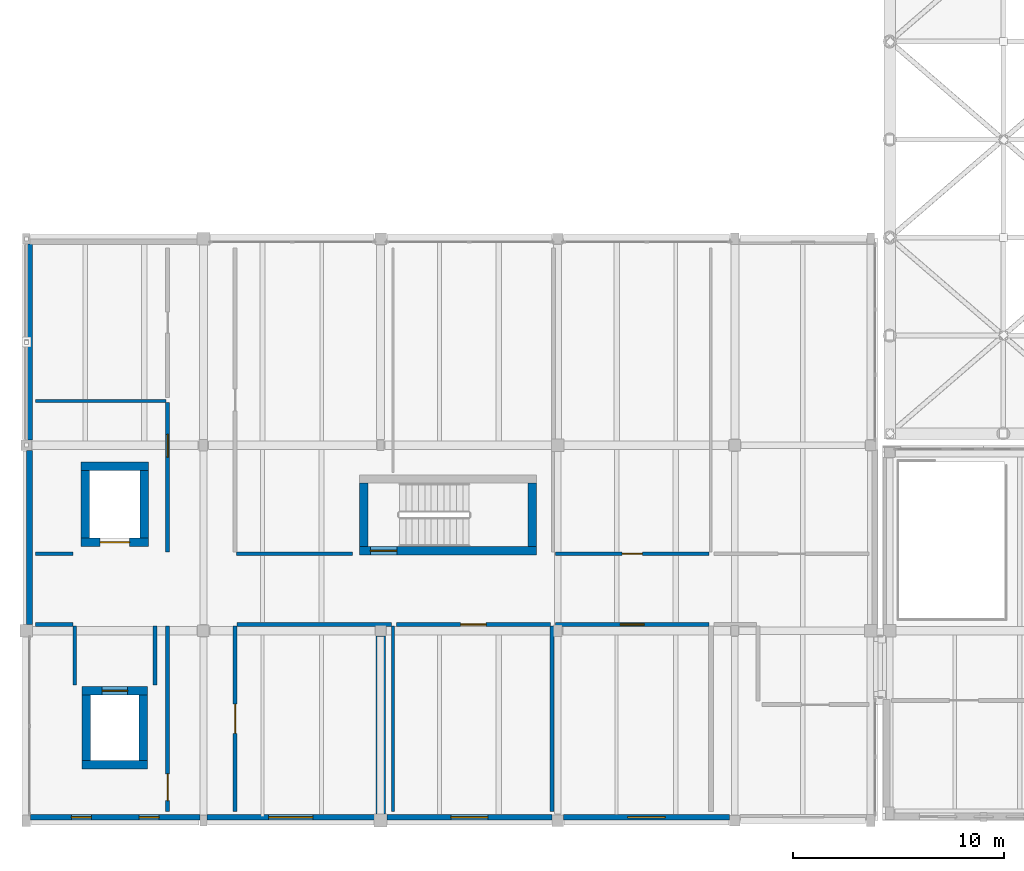
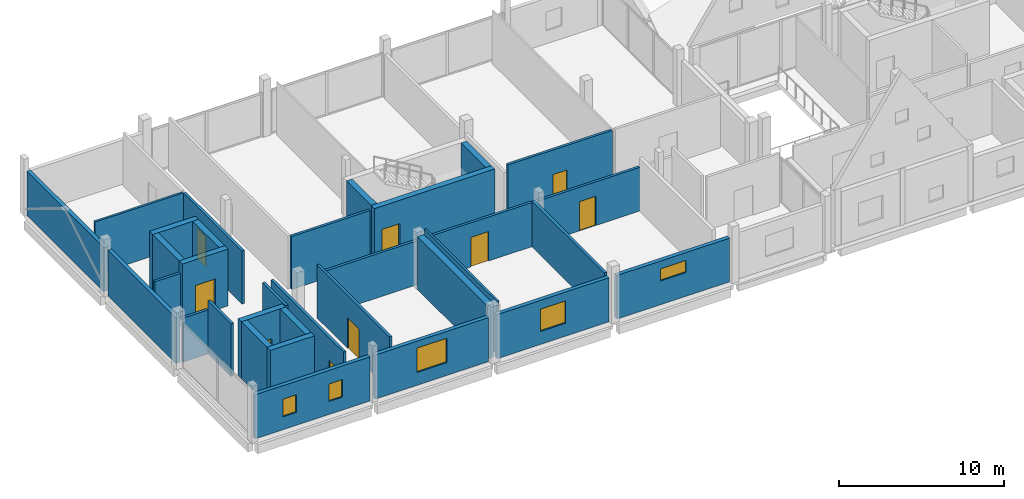
# One storey, part 23 of 41: 33 walls, 9 doors, 5 windows, 14 openings.
"""IFC4 building model written with IfcOpenShell, lengths in metres."""

from ifc_helpers import new_model, si_unit, direction, frame, frame_2d, origin, place, context, subcontext, project, spatial, rectangle, extrude, material, layer, layer_set, type_object, element, fill, save


model = new_model("IFC4")

# Units and contexts
model_context = context("Model", 3, precision=1e-05, world=origin(), true_north=direction((0.0, 1.0)))
body_context = subcontext(model_context, "Body", "Model", "MODEL_VIEW")
ifc_project = project(units=[si_unit("LENGTHUNIT", "METRE"), si_unit("AREAUNIT", "SQUARE_METRE"), si_unit("VOLUMEUNIT", "CUBIC_METRE"), si_unit("PLANEANGLEUNIT", "RADIAN"), si_unit("MASSUNIT", "GRAM", prefix="KILO")], contexts=[model_context])

# Site, building, storey
site_placement = place(None, origin())
site = spatial("IfcSite", under=ifc_project, at=site_placement, CompositionType="ELEMENT")
building_placement = place(site_placement, origin())
building = spatial("IfcBuilding", under=site, at=building_placement, Name="Birchvale Park Specialist Clinic", CompositionType="ELEMENT")
storey_placement = place(building_placement, frame((0.0, 0.0, 9.60009765625)))
storey = spatial("IfcBuildingStorey", under=building, at=storey_placement, Name="L02", CompositionType="ELEMENT", Elevation=9.60009765625)

# Wall, opening, door
ifc_material_1 = material(Name="Concrete C40/50", Category="concrete")
ifc_layer_1 = layer(ifc_material_1, 0.39990234375)
ifc_layer_set_1 = layer_set([ifc_layer_1], Name="Concrete C40/50")
wall_type_1 = type_object("IfcWallType", Name="WL-CW-120", PredefinedType="SHEAR", material=ifc_layer_set_1)
wall_1_placement = place(storey_placement, frame((27.0, 29.60009765625, 0.0), z_axis=(0.0, 0.0, 1.0), x_axis=(1.0, 0.0, 0.0)))
wall_1 = element("IfcWall", 1, at=wall_1_placement, inside=storey, type_object=wall_type_1, Name="L02 stair ST2 EI 120 enclosure wall (south)", PredefinedType="SHEAR", context=body_context, shape_type="SweptSolid", body=[
    extrude(rectangle(XDim=8.39990234375, YDim=0.39990234375, at=frame_2d((4.199951171875, 0.0))), origin(), (0.0, 0.0, 1.0), 3.919921875),
])
opening_1_placement = place(wall_1_placement, frame((0.52001953125, 0.0, 0.0)))
opening_1 = element("IfcOpeningElement", 2, at=opening_1_placement, cuts=wall_1, Name="Opening ID-FD60", PredefinedType="OPENING", context=body_context, shape_type="SweptSolid", body=[
    extrude(rectangle(XDim=1.25, YDim=2.199951171875, at=frame_2d((0.625, 1.10009765625))), frame((0.0, 0.2099609375, 0.0), z_axis=(0.0, -1.0, 0.0), x_axis=(1.0, 0.0, 0.0)), (0.0, 0.0, 1.0), 0.419921875),
])
ifc_material_2 = material(Name="Solid-core birch veneer and anodised aluminium", Category="aluminium")
door_type_1 = type_object("IfcDoorType", Name="DR-ID-FD60", OperationType="NOTDEFINED", PredefinedType="DOOR", material=ifc_material_2)
door_1_placement = place(opening_1_placement, origin())
door_1 = element("IfcDoor", 3, at=door_1_placement, inside=storey, type_object=door_type_1, Name="L02 stair ST2 fire door", OperationType="SINGLE_SWING_RIGHT", OverallHeight=2.199951171875, OverallWidth=1.25, PredefinedType="DOOR", context=body_context, shape_type="SweptSolid", body=[
    extrude(rectangle(XDim=1.25, YDim=2.199951171875, at=frame_2d((0.625, 1.10009765625))), frame((0.0, 0.02490234375, 0.0), z_axis=(0.0, -1.0, 0.0), x_axis=(1.0, 0.0, 0.0)), (0.0, 0.0, 1.0), 0.050048828125),
])
fill(opening_1, door_1)

# Walls
for number, where, z_axis, x_axis, name in (
    (4, (27.199951171875, 29.800048828125, 0.0), (0.0, 0.0, 1.0), (0.0, 1.0, 0.0), "L02 stair ST2 EI 120 enclosure wall (west)"),
    (5, (35.199951171875, 32.800048828125, 0.0), (0.0, 0.0, 1.0), (0.0, -1.0, 0.0), "L02 stair ST2 EI 120 enclosure wall (east)"),
):
    element("IfcWall", number, at=place(storey_placement, frame(where, z_axis=z_axis, x_axis=x_axis)), inside=storey, type_object=wall_type_1, Name=name, PredefinedType="SHEAR", context=body_context, shape_type="SweptSolid", body=[
        extrude(rectangle(XDim=3.0, YDim=0.39990234375, at=frame_2d((1.5, 0.0))), origin(), (0.0, 0.0, 1.0), 3.919921875),
    ])
wall_2_placement = place(storey_placement, frame((13.85009765625, 19.449951171875, 0.0), z_axis=(0.0, 0.0, 1.0), x_axis=(1.0, 0.0, 0.0)))
element("IfcWall", 6, at=wall_2_placement, inside=storey, type_object=wall_type_1, Name="L02 lift LP3 shaft wall (south)", PredefinedType="SHEAR", context=body_context, shape_type="SweptSolid", body=[
    extrude(rectangle(XDim=3.099853515625, YDim=0.39990234375, at=frame_2d((1.5498046875, 0.0))), origin(), (0.0, 0.0, 1.0), 4.199951171875),
])

# Wall, opening, door
wall_3_placement = place(storey_placement, frame((16.949951171875, 22.949951171875, 0.0), z_axis=(0.0, 0.0, 1.0), x_axis=(-1.0, 0.0, 0.0)))
wall_3 = element("IfcWall", 7, at=wall_3_placement, inside=storey, type_object=wall_type_1, Name="L02 lift LP3 shaft wall (north)", PredefinedType="SHEAR", context=body_context, shape_type="SweptSolid", body=[
    extrude(rectangle(XDim=3.099853515625, YDim=0.39990234375, at=frame_2d((1.5498046875, 0.0))), origin(), (0.0, 0.0, 1.0), 4.199951171875),
])
opening_2_placement = place(wall_3_placement, frame((0.949951171875, 0.0, 0.0)))
opening_2 = element("IfcOpeningElement", 8, at=opening_2_placement, cuts=wall_3, Name="Opening LD-01", PredefinedType="OPENING", context=body_context, shape_type="SweptSolid", body=[
    extrude(rectangle(XDim=1.199951171875, YDim=2.199951171875, at=frame_2d((0.60009765625, 1.10009765625))), frame((0.0, 0.2099609375, 0.0), z_axis=(0.0, -1.0, 0.0), x_axis=(1.0, 0.0, 0.0)), (0.0, 0.0, 1.0), 0.419921875),
])
door_type_2 = type_object("IfcDoorType", Name="DR-LD-01", OperationType="DOUBLE_DOOR_SLIDING", PredefinedType="DOOR", material=ifc_material_2)
door_2_placement = place(opening_2_placement, origin())
door_2 = element("IfcDoor", 9, at=door_2_placement, inside=storey, type_object=door_type_2, Name="L02 lift LP3 sliding landing door", OperationType="DOUBLE_DOOR_SLIDING", OverallHeight=2.199951171875, OverallWidth=1.199951171875, PredefinedType="DOOR", context=body_context, shape_type="SweptSolid", body=[
    extrude(rectangle(XDim=1.199951171875, YDim=2.199951171875, at=frame_2d((0.60009765625, 1.10009765625))), frame((0.0, 0.02490234375, 0.0), z_axis=(0.0, -1.0, 0.0), x_axis=(1.0, 0.0, 0.0)), (0.0, 0.0, 1.0), 0.050048828125),
])
fill(opening_2, door_2)

# Walls
for number, where, z_axis, x_axis, name in (
    (10, (14.050048828125, 19.64990234375, 0.0), (0.0, 0.0, 1.0), (0.0, 1.0, 0.0), "L02 lift LP3 shaft wall (west)"),
    (11, (16.75, 22.75, 0.0), (0.0, 0.0, 1.0), (0.0, -1.0, 0.0), "L02 lift LP3 shaft wall (east)"),
):
    element("IfcWall", number, at=place(storey_placement, frame(where, z_axis=z_axis, x_axis=x_axis)), inside=storey, type_object=wall_type_1, Name=name, PredefinedType="SHEAR", context=body_context, shape_type="SweptSolid", body=[
        extrude(rectangle(XDim=3.10009765625, YDim=0.39990234375, at=frame_2d((1.550048828125, 0.0))), origin(), (0.0, 0.0, 1.0), 4.199951171875),
    ])

# Wall, opening, door
wall_4_placement = place(storey_placement, frame((13.800048828125, 30.0, 0.0), z_axis=(0.0, 0.0, 1.0), x_axis=(1.0, 0.0, 0.0)))
wall_4 = element("IfcWall", 12, at=wall_4_placement, inside=storey, type_object=wall_type_1, Name="L02 lift LS1 shaft wall (south)", PredefinedType="SHEAR", context=body_context, shape_type="SweptSolid", body=[
    extrude(rectangle(XDim=3.199951171875, YDim=0.39990234375, at=frame_2d((1.60009765625, 0.0))), origin(), (0.0, 0.0, 1.0), 4.199951171875),
])
opening_3_placement = place(wall_4_placement, frame((0.89990234375, 0.0, 0.0)))
opening_3 = element("IfcOpeningElement", 13, at=opening_3_placement, cuts=wall_4, Name="Opening LD-03", PredefinedType="OPENING", context=body_context, shape_type="SweptSolid", body=[
    extrude(rectangle(XDim=1.39990234375, YDim=2.300048828125, at=frame_2d((0.699951171875, 1.14990234375))), frame((0.0, 0.2099609375, 0.0), z_axis=(0.0, -1.0, 0.0), x_axis=(1.0, 0.0, 0.0)), (0.0, 0.0, 1.0), 0.419921875),
])
door_type_3 = type_object("IfcDoorType", Name="DR-LD-03", OperationType="DOUBLE_DOOR_SLIDING", PredefinedType="DOOR", material=ifc_material_2)
door_3_placement = place(opening_3_placement, origin())
door_3 = element("IfcDoor", 14, at=door_3_placement, inside=storey, type_object=door_type_3, Name="L02 lift LS1 sliding landing door", OperationType="DOUBLE_DOOR_SLIDING", OverallHeight=2.300048828125, OverallWidth=1.39990234375, PredefinedType="DOOR", context=body_context, shape_type="SweptSolid", body=[
    extrude(rectangle(XDim=1.39990234375, YDim=2.300048828125, at=frame_2d((0.699951171875, 1.14990234375))), frame((0.0, 0.02490234375, 0.0), z_axis=(0.0, -1.0, 0.0), x_axis=(1.0, 0.0, 0.0)), (0.0, 0.0, 1.0), 0.050048828125),
])
fill(opening_3, door_3)

# Walls
for number, where, z_axis, x_axis, name in (
    (15, (17.0, 33.60009765625, 0.0), (0.0, 0.0, 1.0), (-1.0, 0.0, 0.0), "L02 lift LS1 shaft wall (north)"),
    (16, (14.0, 30.199951171875, 0.0), (0.0, 0.0, 1.0), (0.0, 1.0, 0.0), "L02 lift LS1 shaft wall (west)"),
    (17, (16.800048828125, 33.39990234375, 0.0), (0.0, 0.0, 1.0), (0.0, -1.0, 0.0), "L02 lift LS1 shaft wall (east)"),
):
    element("IfcWall", number, at=place(storey_placement, frame(where, z_axis=z_axis, x_axis=x_axis)), inside=storey, type_object=wall_type_1, Name=name, PredefinedType="SHEAR", context=body_context, shape_type="SweptSolid", body=[
        extrude(rectangle(XDim=3.199951171875, YDim=0.39990234375, at=frame_2d((1.60009765625, 0.0))), origin(), (0.0, 0.0, 1.0), 4.199951171875),
    ])

# Wall, openings, windows
ifc_material_3 = material(Name="Lime-white mineral-rendered insulated masonry", Category="masonry")
ifc_layer_2 = layer(ifc_material_3, 0.27001953125)
ifc_layer_set_2 = layer_set([ifc_layer_2], Name="Lime-white mineral-rendered insulated masonry")
wall_type_2 = type_object("IfcWallType", Name="WL-EW-04", PredefinedType="STANDARD", material=ifc_layer_set_2)
wall_5_placement = place(storey_placement, frame((11.39501953125, 16.955078125, 0.0), z_axis=(0.0, 0.0, 1.0), x_axis=(1.0, 0.0, 0.0)))
wall_5 = element("IfcWall", 18, at=wall_5_placement, inside=storey, type_object=wall_type_2, Name="V2 L02 exterior facade wall 179", PredefinedType="STANDARD", context=body_context, shape_type="SweptSolid", body=[
    extrude(rectangle(XDim=8.034912109375, YDim=0.27001953125, at=frame_2d((4.017578125, 0.0))), origin(), (0.0, 0.0, 1.0), 3.2548828125),
])
opening_4_placement = place(wall_5_placement, frame((1.935546875, 0.0, 0.949951171875)))
opening_4 = element("IfcOpeningElement", 19, at=opening_4_placement, cuts=wall_5, Name="Opening W-CL13", PredefinedType="OPENING", context=body_context, shape_type="SweptSolid", body=[
    extrude(rectangle(XDim=0.949951171875, YDim=1.300048828125, at=frame_2d((0.47509765625, 0.64990234375))), frame((0.0, 0.14501953125, 0.0), z_axis=(0.0, -1.0, 0.0), x_axis=(1.0, 0.0, 0.0)), (0.0, 0.0, 1.0), 0.2900390625),
])
opening_5_placement = place(wall_5_placement, frame((5.1494140625, 0.0, 0.949951171875)))
opening_5 = element("IfcOpeningElement", 20, at=opening_5_placement, cuts=wall_5, Name="Opening W-CL13", PredefinedType="OPENING", context=body_context, shape_type="SweptSolid", body=[
    extrude(rectangle(XDim=0.949951171875, YDim=1.300048828125, at=frame_2d((0.47509765625, 0.64990234375))), frame((0.0, 0.14501953125, 0.0), z_axis=(0.0, -1.0, 0.0), x_axis=(1.0, 0.0, 0.0)), (0.0, 0.0, 1.0), 0.2900390625),
])
ifc_material_4 = material(Name="Solar-control low-E double glazing", Category="glass")
window_type_1 = type_object("IfcWindowType", Name="WIN-W-CL13", PartitioningType="SINGLE_PANEL", PredefinedType="WINDOW", material=ifc_material_4)
window_1_placement = place(opening_4_placement, origin())
window_1 = element("IfcWindow", 21, at=window_1_placement, inside=storey, type_object=window_type_1, Name="V2 L02 cased window 57", OverallHeight=1.300048828125, OverallWidth=0.949951171875, PartitioningType="SINGLE_PANEL", PredefinedType="WINDOW", context=body_context, shape_type="SweptSolid", body=[
    extrude(rectangle(XDim=0.949951171875, YDim=1.300048828125, at=frame_2d((0.47509765625, 0.64990234375))), frame((0.0, 0.030029296875, 0.0), z_axis=(0.0, -1.0, 0.0), x_axis=(1.0, 0.0, 0.0)), (0.0, 0.0, 1.0), 0.06005859375),
])
fill(opening_4, window_1)
window_2_placement = place(opening_5_placement, origin())
window_2 = element("IfcWindow", 22, at=window_2_placement, inside=storey, type_object=window_type_1, Name="V2 L02 cased window 58", OverallHeight=1.300048828125, OverallWidth=0.949951171875, PartitioningType="SINGLE_PANEL", PredefinedType="WINDOW", context=body_context, shape_type="SweptSolid", body=[
    extrude(rectangle(XDim=0.949951171875, YDim=1.300048828125, at=frame_2d((0.47509765625, 0.64990234375))), frame((0.0, 0.030029296875, 0.0), z_axis=(0.0, -1.0, 0.0), x_axis=(1.0, 0.0, 0.0)), (0.0, 0.0, 1.0), 0.06005859375),
])
fill(opening_5, window_2)

# Wall, opening, window
wall_6_placement = place(storey_placement, frame((19.77001953125, 16.955078125, 0.0), z_axis=(0.0, 0.0, 1.0), x_axis=(1.0, 0.0, 0.0)))
wall_6 = element("IfcWall", 23, at=wall_6_placement, inside=storey, type_object=wall_type_2, Name="V2 L02 exterior facade wall 180", PredefinedType="STANDARD", context=body_context, shape_type="SweptSolid", body=[
    extrude(rectangle(XDim=7.93505859375, YDim=0.27001953125, at=frame_2d((3.967529296875, 0.0))), origin(), (0.0, 0.0, 1.0), 3.2548828125),
])
opening_6_placement = place(wall_6_placement, frame((2.91748046875, 0.0, 0.949951171875)))
opening_6 = element("IfcOpeningElement", 24, at=opening_6_placement, cuts=wall_6, Name="Opening W-CL07", PredefinedType="OPENING", context=body_context, shape_type="SweptSolid", body=[
    extrude(rectangle(XDim=2.10009765625, YDim=1.800048828125, at=frame_2d((1.050048828125, 0.89990234375))), frame((0.0, 0.14501953125, 0.0), z_axis=(0.0, -1.0, 0.0), x_axis=(1.0, 0.0, 0.0)), (0.0, 0.0, 1.0), 0.2900390625),
])
window_type_2 = type_object("IfcWindowType", Name="WIN-W-CL07", PartitioningType="SINGLE_PANEL", PredefinedType="WINDOW", material=ifc_material_4)
window_3_placement = place(opening_6_placement, origin())
window_3 = element("IfcWindow", 25, at=window_3_placement, inside=storey, type_object=window_type_2, Name="V2 L02 cased window 59", OverallHeight=1.800048828125, OverallWidth=2.10009765625, PartitioningType="SINGLE_PANEL", PredefinedType="WINDOW", context=body_context, shape_type="SweptSolid", body=[
    extrude(rectangle(XDim=2.10009765625, YDim=1.800048828125, at=frame_2d((1.050048828125, 0.89990234375))), frame((0.0, 0.030029296875, 0.0), z_axis=(0.0, -1.0, 0.0), x_axis=(1.0, 0.0, 0.0)), (0.0, 0.0, 1.0), 0.06005859375),
])
fill(opening_6, window_3)

wall_7_placement = place(storey_placement, frame((28.294921875, 16.955078125, 0.0), z_axis=(0.0, 0.0, 1.0), x_axis=(1.0, 0.0, 0.0)))
wall_7 = element("IfcWall", 26, at=wall_7_placement, inside=storey, type_object=wall_type_2, Name="V2 L02 exterior facade wall 181", PredefinedType="STANDARD", context=body_context, shape_type="SweptSolid", body=[
    extrude(rectangle(XDim=7.8349609375, YDim=0.27001953125, at=frame_2d((3.91748046875, 0.0))), origin(), (0.0, 0.0, 1.0), 3.2548828125),
])
opening_7_placement = place(wall_7_placement, frame((3.04248046875, 0.0, 0.949951171875)))
opening_7 = element("IfcOpeningElement", 27, at=opening_7_placement, cuts=wall_7, Name="Opening W-CL16", PredefinedType="OPENING", context=body_context, shape_type="SweptSolid", body=[
    extrude(rectangle(XDim=1.75, YDim=1.64990234375, at=frame_2d((0.875, 0.824951171875))), frame((0.0, 0.14501953125, 0.0), z_axis=(0.0, -1.0, 0.0), x_axis=(1.0, 0.0, 0.0)), (0.0, 0.0, 1.0), 0.2900390625),
])
window_type_3 = type_object("IfcWindowType", Name="WIN-W-CL16", PartitioningType="SINGLE_PANEL", PredefinedType="WINDOW", material=ifc_material_4)
window_4_placement = place(opening_7_placement, origin())
window_4 = element("IfcWindow", 28, at=window_4_placement, inside=storey, type_object=window_type_3, Name="V2 L02 cased window 60", OverallHeight=1.64990234375, OverallWidth=1.75, PartitioningType="SINGLE_PANEL", PredefinedType="WINDOW", context=body_context, shape_type="SweptSolid", body=[
    extrude(rectangle(XDim=1.75, YDim=1.64990234375, at=frame_2d((0.875, 0.824951171875))), frame((0.0, 0.030029296875, 0.0), z_axis=(0.0, -1.0, 0.0), x_axis=(1.0, 0.0, 0.0)), (0.0, 0.0, 1.0), 0.06005859375),
])
fill(opening_7, window_4)

wall_8_placement = place(storey_placement, frame((36.669921875, 16.955078125, 0.0), z_axis=(0.0, 0.0, 1.0), x_axis=(1.0, 0.0, 0.0)))
wall_8 = element("IfcWall", 29, at=wall_8_placement, inside=storey, type_object=wall_type_2, Name="V2 L02 exterior facade wall 182", PredefinedType="STANDARD", context=body_context, shape_type="SweptSolid", body=[
    extrude(rectangle(XDim=7.885009765625, YDim=0.27001953125, at=frame_2d((3.9423828125, 0.0))), origin(), (0.0, 0.0, 1.0), 3.224853515625),
])
opening_8_placement = place(wall_8_placement, frame((3.04248046875, 0.0, 1.75)))
opening_8 = element("IfcOpeningElement", 30, at=opening_8_placement, cuts=wall_8, Name="Opening W-CL09", PredefinedType="OPENING", context=body_context, shape_type="SweptSolid", body=[
    extrude(rectangle(XDim=1.800048828125, YDim=0.89990234375, at=frame_2d((0.89990234375, 0.449951171875))), frame((0.0, 0.14501953125, 0.0), z_axis=(0.0, -1.0, 0.0), x_axis=(1.0, 0.0, 0.0)), (0.0, 0.0, 1.0), 0.2900390625),
])
window_type_4 = type_object("IfcWindowType", Name="WIN-W-CL09", PartitioningType="SINGLE_PANEL", PredefinedType="WINDOW", material=ifc_material_4)
window_5_placement = place(opening_8_placement, origin())
window_5 = element("IfcWindow", 31, at=window_5_placement, inside=storey, type_object=window_type_4, Name="V2 L02 cased window 61", OverallHeight=0.89990234375, OverallWidth=1.800048828125, PartitioningType="SINGLE_PANEL", PredefinedType="WINDOW", context=body_context, shape_type="SweptSolid", body=[
    extrude(rectangle(XDim=1.800048828125, YDim=0.89990234375, at=frame_2d((0.89990234375, 0.449951171875))), frame((0.0, 0.030029296875, 0.0), z_axis=(0.0, -1.0, 0.0), x_axis=(1.0, 0.0, 0.0)), (0.0, 0.0, 1.0), 0.06005859375),
])
fill(opening_8, window_5)

# Walls
wall_9_placement = place(storey_placement, frame((11.35498046875, 44.155029296875, 0.0), z_axis=(0.0, 0.0, 1.0), x_axis=(0.0, -1.0, 0.0)))
element("IfcWall", 32, at=wall_9_placement, inside=storey, type_object=wall_type_2, Name="V2 L02 exterior facade wall 187", PredefinedType="STANDARD", context=body_context, shape_type="SweptSolid", body=[
    extrude(rectangle(XDim=9.31005859375, YDim=0.27001953125, at=frame_2d((4.655029296875, 0.0))), origin(), (0.0, 0.0, 1.0), 3.264892578125),
])
wall_10_placement = place(storey_placement, frame((11.35498046875, 34.35498046875, 0.0), z_axis=(0.0, 0.0, 1.0), x_axis=(0.0, -1.0, 0.0)))
element("IfcWall", 33, at=wall_10_placement, inside=storey, type_object=wall_type_2, Name="V2 L02 exterior facade wall 188", PredefinedType="STANDARD", context=body_context, shape_type="SweptSolid", body=[
    extrude(rectangle(XDim=8.260009765625, YDim=0.27001953125, at=frame_2d((4.1298828125, 0.0))), origin(), (0.0, 0.0, 1.0), 3.364990234375),
])
ifc_material_5 = material(Name="Acoustic gypsum board on metal framing")
ifc_layer_3 = layer(ifc_material_5, 0.14990234375)
ifc_layer_set_3 = layer_set([ifc_layer_3], Name="Acoustic gypsum board on metal framing")
wall_type_3 = type_object("IfcWallType", Name="WL-IW-02", PredefinedType="PARTITIONING", material=ifc_layer_set_3)
wall_11_placement = place(storey_placement, frame((28.594970703125, 26.02001953125, 0.0), z_axis=(0.0, 0.0, 1.0), x_axis=(0.0, -1.0, 0.0)))
element("IfcWall", 34, at=wall_11_placement, inside=storey, type_object=wall_type_3, Name="V2 L02 clinical partition 411", PredefinedType="PARTITIONING", context=body_context, shape_type="SweptSolid", body=[
    extrude(rectangle(XDim=8.780029296875, YDim=0.14990234375, at=frame_2d((4.39013671875, 0.0))), origin(), (0.0, 0.0, 1.0), 3.919921875),
])
wall_12_placement = place(storey_placement, frame((11.639892578125, 36.705078125, 0.0), z_axis=(0.0, 0.0, 1.0), x_axis=(1.0, 0.0, 0.0)))
element("IfcWall", 35, at=wall_12_placement, inside=storey, type_object=wall_type_3, Name="V2 L02 clinical partition 420", PredefinedType="PARTITIONING", context=body_context, shape_type="SweptSolid", body=[
    extrude(rectangle(XDim=6.18017578125, YDim=0.14990234375, at=frame_2d((3.090087890625, 0.0))), origin(), (0.0, 0.0, 1.0), 3.919921875),
])
ifc_layer_4 = layer(ifc_material_5, 0.195068359375)
ifc_layer_set_4 = layer_set([ifc_layer_4], Name="Acoustic gypsum board on metal framing")
wall_type_4 = type_object("IfcWallType", Name="WL-IW-07", PredefinedType="PARTITIONING", material=ifc_layer_set_4)
wall_13_placement = place(storey_placement, frame((36.1298828125, 26.02001953125, 0.0), z_axis=(0.0, 0.0, 1.0), x_axis=(0.0, -1.0, 0.0)))
element("IfcWall", 36, at=wall_13_placement, inside=storey, type_object=wall_type_4, Name="V2 L02 clinical partition 413", PredefinedType="PARTITIONING", context=body_context, shape_type="SweptSolid", body=[
    extrude(rectangle(XDim=8.780029296875, YDim=0.195068359375, at=frame_2d((4.39013671875, 0.0))), origin(), (0.0, 0.0, 1.0), 3.375),
])
ifc_layer_5 = layer(ifc_material_5, 0.179931640625)
ifc_layer_set_5 = layer_set([ifc_layer_5], Name="Acoustic gypsum board on metal framing")
wall_type_5 = type_object("IfcWallType", Name="WL-IW-60", PredefinedType="PARTITIONING", material=ifc_layer_set_5)
wall_14_placement = place(storey_placement, frame((17.300048828125, 23.22998046875, 0.0), z_axis=(0.0, 0.0, 1.0), x_axis=(0.0, 1.0, 0.0)))
element("IfcWall", 37, at=wall_14_placement, inside=storey, type_object=wall_type_5, Name="V2 L02 clinical partition 405", PredefinedType="PARTITIONING", context=body_context, shape_type="SweptSolid", body=[
    extrude(rectangle(XDim=2.7900390625, YDim=0.179931640625, at=frame_2d((1.39501953125, 0.0))), origin(), (0.0, 0.0, 1.0), 3.919921875),
])

# Wall, opening, door
wall_15_placement = place(storey_placement, frame((17.89990234375, 26.02001953125, 0.0), z_axis=(0.0, 0.0, 1.0), x_axis=(0.0, -1.0, 0.0)))
wall_15 = element("IfcWall", 38, at=wall_15_placement, inside=storey, type_object=wall_type_5, Name="V2 L02 clinical partition 406", PredefinedType="PARTITIONING", context=body_context, shape_type="SweptSolid", body=[
    extrude(rectangle(XDim=8.780029296875, YDim=0.179931640625, at=frame_2d((4.39013671875, 0.0))), origin(), (0.0, 0.0, 1.0), 3.919921875),
])
opening_9_placement = place(wall_15_placement, frame((7.0, 0.0, 0.0)))
opening_9 = element("IfcOpeningElement", 39, at=opening_9_placement, cuts=wall_15, Name="Opening ID-05", PredefinedType="OPENING", context=body_context, shape_type="SweptSolid", body=[
    extrude(rectangle(XDim=1.280029296875, YDim=2.25, at=frame_2d((0.64013671875, 1.125))), frame((0.0, 0.10009765625, 0.0), z_axis=(0.0, -1.0, 0.0), x_axis=(1.0, 0.0, 0.0)), (0.0, 0.0, 1.0), 0.199951171875),
])
door_type_4 = type_object("IfcDoorType", Name="DR-ID-05", OperationType="NOTDEFINED", PredefinedType="DOOR", material=ifc_material_2)
door_4_placement = place(opening_9_placement, origin())
door_4 = element("IfcDoor", 40, at=door_4_placement, inside=storey, type_object=door_type_4, Name="L02 Clinical Hematology Laboratory door", OperationType="SINGLE_SWING_LEFT", OverallHeight=2.25, OverallWidth=1.280029296875, PredefinedType="DOOR", context=body_context, shape_type="SweptSolid", body=[
    extrude(rectangle(XDim=1.280029296875, YDim=2.25, at=frame_2d((0.64013671875, 1.125))), frame((0.0, 0.02490234375, 0.0), z_axis=(0.0, -1.0, 0.0), x_axis=(1.0, 0.0, 0.0)), (0.0, 0.0, 1.0), 0.050048828125),
])
fill(opening_9, door_4)

# Walls
wall_16_placement = place(storey_placement, frame((11.639892578125, 26.10009765625, 0.0), z_axis=(0.0, 0.0, 1.0), x_axis=(1.0, 0.0, 0.0)))
element("IfcWall", 41, at=wall_16_placement, inside=storey, type_object=wall_type_5, Name="V2 L02 clinical partition 407", PredefinedType="PARTITIONING", context=body_context, shape_type="SweptSolid", body=[
    extrude(rectangle(XDim=1.780029296875, YDim=0.179931640625, at=frame_2d((0.89013671875, 0.0))), origin(), (0.0, 0.0, 1.0), 3.2548828125),
])
wall_17_placement = place(storey_placement, frame((13.5, 26.02001953125, 0.0), z_axis=(0.0, 0.0, 1.0), x_axis=(0.0, -1.0, 0.0)))
element("IfcWall", 42, at=wall_17_placement, inside=storey, type_object=wall_type_5, Name="V2 L02 clinical partition 408", PredefinedType="PARTITIONING", context=body_context, shape_type="SweptSolid", body=[
    extrude(rectangle(XDim=2.7900390625, YDim=0.179931640625, at=frame_2d((1.39501953125, 0.0))), origin(), (0.0, 0.0, 1.0), 3.919921875),
])

# Wall, opening, door
wall_18_placement = place(storey_placement, frame((21.10009765625, 17.239990234375, 0.0), z_axis=(0.0, 0.0, 1.0), x_axis=(0.0, 1.0, 0.0)))
wall_18 = element("IfcWall", 43, at=wall_18_placement, inside=storey, type_object=wall_type_5, Name="V2 L02 clinical partition 409", PredefinedType="PARTITIONING", context=body_context, shape_type="SweptSolid", body=[
    extrude(rectangle(XDim=8.780029296875, YDim=0.179931640625, at=frame_2d((4.39013671875, 0.0))), origin(), (0.0, 0.0, 1.0), 3.919921875),
])
opening_10_placement = place(wall_18_placement, frame((3.699951171875, 0.0, 0.0)))
opening_10 = element("IfcOpeningElement", 44, at=opening_10_placement, cuts=wall_18, Name="Opening ID-06", PredefinedType="OPENING", context=body_context, shape_type="SweptSolid", body=[
    extrude(rectangle(XDim=1.3798828125, YDim=2.25, at=frame_2d((0.68994140625, 1.125))), frame((0.0, 0.10009765625, 0.0), z_axis=(0.0, -1.0, 0.0), x_axis=(1.0, 0.0, 0.0)), (0.0, 0.0, 1.0), 0.199951171875),
])
door_type_5 = type_object("IfcDoorType", Name="DR-ID-06", OperationType="NOTDEFINED", PredefinedType="DOOR", material=ifc_material_2)
door_5_placement = place(opening_10_placement, origin())
door_5 = element("IfcDoor", 45, at=door_5_placement, inside=storey, type_object=door_type_5, Name="L02 Molecular Diagnostics Laboratory door", OperationType="SINGLE_SWING_RIGHT", OverallHeight=2.25, OverallWidth=1.3798828125, PredefinedType="DOOR", context=body_context, shape_type="SweptSolid", body=[
    extrude(rectangle(XDim=1.3798828125, YDim=2.25, at=frame_2d((0.68994140625, 1.125))), frame((0.0, 0.02490234375, 0.0), z_axis=(0.0, -1.0, 0.0), x_axis=(1.0, 0.0, 0.0)), (0.0, 0.0, 1.0), 0.050048828125),
])
fill(opening_10, door_5)

# Wall
wall_19_placement = place(storey_placement, frame((21.179931640625, 26.10009765625, 0.0), z_axis=(0.0, 0.0, 1.0), x_axis=(1.0, 0.0, 0.0)))
element("IfcWall", 46, at=wall_19_placement, inside=storey, type_object=wall_type_5, Name="V2 L02 clinical partition 410", PredefinedType="PARTITIONING", context=body_context, shape_type="SweptSolid", body=[
    extrude(rectangle(XDim=7.3349609375, YDim=0.179931640625, at=frame_2d((3.66748046875, 0.0))), origin(), (0.0, 0.0, 1.0), 3.2548828125),
])

# Wall, opening, door
wall_20_placement = place(storey_placement, frame((28.7548828125, 26.10009765625, 0.0), z_axis=(0.0, 0.0, 1.0), x_axis=(1.0, 0.0, 0.0)))
wall_20 = element("IfcWall", 47, at=wall_20_placement, inside=storey, type_object=wall_type_5, Name="V2 L02 clinical partition 412", PredefinedType="PARTITIONING", context=body_context, shape_type="SweptSolid", body=[
    extrude(rectangle(XDim=7.295166015625, YDim=0.179931640625, at=frame_2d((3.6474609375, 0.0))), origin(), (0.0, 0.0, 1.0), 3.2548828125),
])
opening_11_placement = place(wall_20_placement, frame((3.03759765625, 0.0, 0.0)))
opening_11 = element("IfcOpeningElement", 48, at=opening_11_placement, cuts=wall_20, Name="Opening ID-10", PredefinedType="OPENING", context=body_context, shape_type="SweptSolid", body=[
    extrude(rectangle(XDim=1.219970703125, YDim=2.179931640625, at=frame_2d((0.60986328125, 1.08984375))), frame((0.0, 0.10009765625, 0.0), z_axis=(0.0, -1.0, 0.0), x_axis=(1.0, 0.0, 0.0)), (0.0, 0.0, 1.0), 0.199951171875),
])
door_type_6 = type_object("IfcDoorType", Name="DR-ID-10", OperationType="NOTDEFINED", PredefinedType="DOOR", material=ifc_material_2)
door_6_placement = place(opening_11_placement, origin())
door_6 = element("IfcDoor", 49, at=door_6_placement, inside=storey, type_object=door_type_6, Name="L02 Histopathology Laboratory door", OperationType="SINGLE_SWING_LEFT", OverallHeight=2.179931640625, OverallWidth=1.219970703125, PredefinedType="DOOR", context=body_context, shape_type="SweptSolid", body=[
    extrude(rectangle(XDim=1.219970703125, YDim=2.179931640625, at=frame_2d((0.60986328125, 1.08984375))), frame((0.0, 0.02490234375, 0.0), z_axis=(0.0, -1.0, 0.0), x_axis=(1.0, 0.0, 0.0)), (0.0, 0.0, 1.0), 0.050048828125),
])
fill(opening_11, door_6)

wall_21_placement = place(storey_placement, frame((36.2900390625, 26.10009765625, 0.0), z_axis=(0.0, 0.0, 1.0), x_axis=(1.0, 0.0, 0.0)))
wall_21 = element("IfcWall", 50, at=wall_21_placement, inside=storey, type_object=wall_type_5, Name="V2 L02 clinical partition 414", PredefinedType="PARTITIONING", context=body_context, shape_type="SweptSolid", body=[
    extrude(rectangle(XDim=7.294921875, YDim=0.179931640625, at=frame_2d((3.6474609375, 0.0))), origin(), (0.0, 0.0, 1.0), 3.224853515625),
])
opening_12_placement = place(wall_21_placement, frame((3.08740234375, 0.0, 0.0)))
opening_12 = element("IfcOpeningElement", 51, at=opening_12_placement, cuts=wall_21, Name="Opening ID-11", PredefinedType="OPENING", context=body_context, shape_type="SweptSolid", body=[
    extrude(rectangle(XDim=1.1201171875, YDim=2.159912109375, at=frame_2d((0.56005859375, 1.080078125))), frame((0.0, 0.10009765625, 0.0), z_axis=(0.0, -1.0, 0.0), x_axis=(1.0, 0.0, 0.0)), (0.0, 0.0, 1.0), 0.199951171875),
])
door_type_7 = type_object("IfcDoorType", Name="DR-ID-11", OperationType="NOTDEFINED", PredefinedType="DOOR", material=ifc_material_2)
door_7_placement = place(opening_12_placement, origin())
door_7 = element("IfcDoor", 52, at=door_7_placement, inside=storey, type_object=door_type_7, Name="L02 Ultrasound Diagnostic Suite door", OperationType="SINGLE_SWING_RIGHT", OverallHeight=2.159912109375, OverallWidth=1.1201171875, PredefinedType="DOOR", context=body_context, shape_type="SweptSolid", body=[
    extrude(rectangle(XDim=1.1201171875, YDim=2.159912109375, at=frame_2d((0.56005859375, 1.080078125))), frame((0.0, 0.02490234375, 0.0), z_axis=(0.0, -1.0, 0.0), x_axis=(1.0, 0.0, 0.0)), (0.0, 0.0, 1.0), 0.050048828125),
])
fill(opening_12, door_7)

# Wall
wall_22_placement = place(storey_placement, frame((13.419921875, 29.449951171875, 0.0), z_axis=(0.0, 0.0, 1.0), x_axis=(-1.0, 0.0, 0.0)))
element("IfcWall", 53, at=wall_22_placement, inside=storey, type_object=wall_type_5, Name="V2 L02 clinical partition 419", PredefinedType="PARTITIONING", context=body_context, shape_type="SweptSolid", body=[
    extrude(rectangle(XDim=1.780029296875, YDim=0.179931640625, at=frame_2d((0.89013671875, 0.0))), origin(), (0.0, 0.0, 1.0), 3.919921875),
])

# Wall, opening, door
wall_23_placement = place(storey_placement, frame((17.89990234375, 36.625, 0.0), z_axis=(0.0, 0.0, 1.0), x_axis=(0.0, -1.0, 0.0)))
wall_23 = element("IfcWall", 54, at=wall_23_placement, inside=storey, type_object=wall_type_5, Name="V2 L02 clinical partition 421", PredefinedType="PARTITIONING", context=body_context, shape_type="SweptSolid", body=[
    extrude(rectangle(XDim=7.094970703125, YDim=0.179931640625, at=frame_2d((3.54736328125, 0.0))), origin(), (0.0, 0.0, 1.0), 3.919921875),
])
opening_13_placement = place(wall_23_placement, frame((1.507568359375, 0.0, 0.0)))
opening_13 = element("IfcOpeningElement", 55, at=opening_13_placement, cuts=wall_23, Name="Opening ID-03", PredefinedType="OPENING", context=body_context, shape_type="SweptSolid", body=[
    extrude(rectangle(XDim=1.080078125, YDim=2.199951171875, at=frame_2d((0.5400390625, 1.10009765625))), frame((0.0, 0.10009765625, 0.0), z_axis=(0.0, -1.0, 0.0), x_axis=(1.0, 0.0, 0.0)), (0.0, 0.0, 1.0), 0.199951171875),
])
door_type_8 = type_object("IfcDoorType", Name="DR-ID-03", OperationType="NOTDEFINED", PredefinedType="DOOR", material=ifc_material_2)
door_8_placement = place(opening_13_placement, origin())
door_8 = element("IfcDoor", 56, at=door_8_placement, inside=storey, type_object=door_type_8, Name="L02 Accessible Staff WC door", OperationType="SINGLE_SWING_RIGHT", OverallHeight=2.199951171875, OverallWidth=1.080078125, PredefinedType="DOOR", context=body_context, shape_type="SweptSolid", body=[
    extrude(rectangle(XDim=1.080078125, YDim=2.199951171875, at=frame_2d((0.5400390625, 1.10009765625))), frame((0.0, 0.02490234375, 0.0), z_axis=(0.0, -1.0, 0.0), x_axis=(1.0, 0.0, 0.0)), (0.0, 0.0, 1.0), 0.050048828125),
])
fill(opening_13, door_8)

# Wall
wall_24_placement = place(storey_placement, frame((26.6650390625, 29.449951171875, 0.0), z_axis=(0.0, 0.0, 1.0), x_axis=(-1.0, 0.0, 0.0)))
element("IfcWall", 57, at=wall_24_placement, inside=storey, type_object=wall_type_5, Name="V2 L02 clinical partition 423", PredefinedType="PARTITIONING", context=body_context, shape_type="SweptSolid", body=[
    extrude(rectangle(XDim=5.485107421875, YDim=0.179931640625, at=frame_2d((2.74267578125, 0.0))), origin(), (0.0, 0.0, 1.0), 3.919921875),
])

# Wall, opening, door
wall_25_placement = place(storey_placement, frame((43.5849609375, 29.449951171875, 0.0), z_axis=(0.0, 0.0, 1.0), x_axis=(-1.0, 0.0, 0.0)))
wall_25 = element("IfcWall", 58, at=wall_25_placement, inside=storey, type_object=wall_type_5, Name="V2 L02 clinical partition 427", PredefinedType="PARTITIONING", context=body_context, shape_type="SweptSolid", body=[
    extrude(rectangle(XDim=7.294921875, YDim=0.179931640625, at=frame_2d((3.6474609375, 0.0))), origin(), (0.0, 0.0, 1.0), 3.919921875),
])
opening_14_placement = place(wall_25_placement, frame((3.16748046875, 0.0, 0.0)))
opening_14 = element("IfcOpeningElement", 59, at=opening_14_placement, cuts=wall_25, Name="Opening ID-04", PredefinedType="OPENING", context=body_context, shape_type="SweptSolid", body=[
    extrude(rectangle(XDim=0.9599609375, YDim=2.10009765625, at=frame_2d((0.47998046875, 1.050048828125))), frame((0.0, 0.10009765625, 0.0), z_axis=(0.0, -1.0, 0.0), x_axis=(1.0, 0.0, 0.0)), (0.0, 0.0, 1.0), 0.199951171875),
])
door_type_9 = type_object("IfcDoorType", Name="DR-ID-04", OperationType="NOTDEFINED", PredefinedType="DOOR", material=ifc_material_2)
door_9_placement = place(opening_14_placement, origin())
door_9 = element("IfcDoor", 60, at=door_9_placement, inside=storey, type_object=door_type_9, Name="L02 Clinical Hematology Laboratory door", OperationType="SINGLE_SWING_LEFT", OverallHeight=2.10009765625, OverallWidth=0.9599609375, PredefinedType="DOOR", context=body_context, shape_type="SweptSolid", body=[
    extrude(rectangle(XDim=0.9599609375, YDim=2.10009765625, at=frame_2d((0.47998046875, 1.050048828125))), frame((0.0, 0.02490234375, 0.0), z_axis=(0.0, -1.0, 0.0), x_axis=(1.0, 0.0, 0.0)), (0.0, 0.0, 1.0), 0.050048828125),
])
fill(opening_14, door_9)

# Wall
ifc_layer_6 = layer(ifc_material_1, 0.449951171875)
ifc_layer_set_6 = layer_set([ifc_layer_6], Name="Concrete C40/50")
wall_type_6 = type_object("IfcWallType", Name="WL-SW-450", PredefinedType="SHEAR", material=ifc_layer_set_6)
wall_26_placement = place(storey_placement, frame((28.0, 17.10009765625, 0.0), z_axis=(0.0, 0.0, 1.0), x_axis=(0.0, 1.0, 0.0)))
element("IfcWall", 61, at=wall_26_placement, inside=storey, type_object=wall_type_6, Name="V2 L02 coupled seismic shear wall 3", PredefinedType="SHEAR", context=body_context, shape_type="SweptSolid", body=[
    extrude(rectangle(XDim=8.449951171875, YDim=0.449951171875, at=frame_2d((4.22509765625, 0.0))), origin(), (0.0, 0.0, 1.0), 3.919921875),
])

save(model, "model.ifc")
